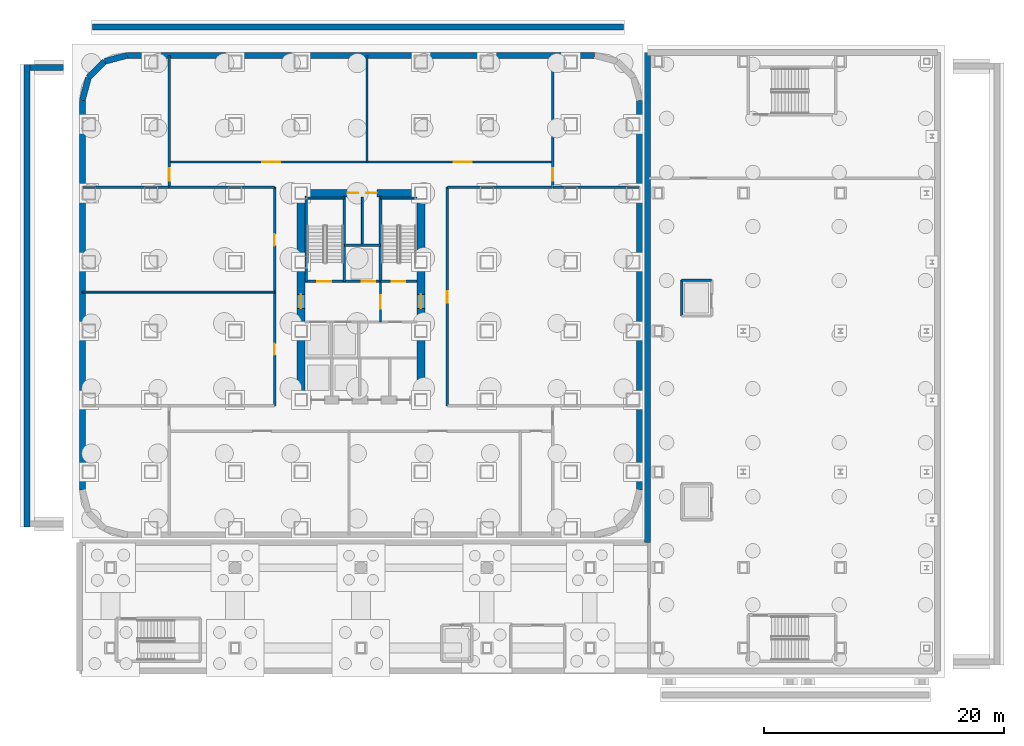
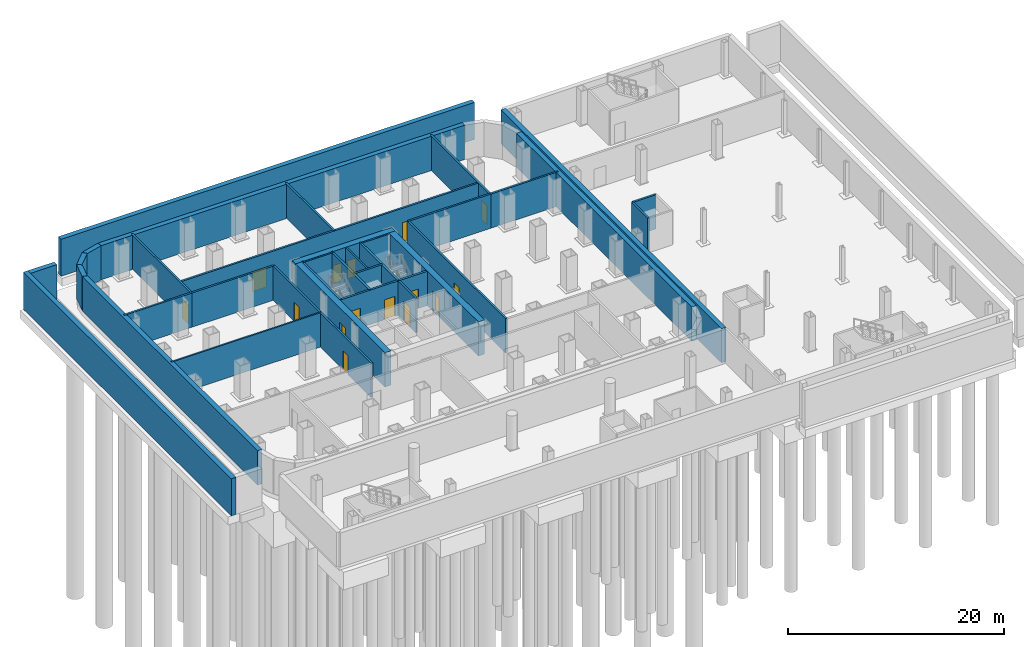
# One storey, part 8 of 16: 36 walls, 15 doors, 15 openings.
"""IFC4 building model written with IfcOpenShell, lengths in metres."""

from ifc_helpers import new_model, si_unit, direction, frame, frame_2d, origin, place, context, subcontext, project, spatial, rectangle, extrude, material, layer, layer_set, type_object, element, fill, save


model = new_model("IFC4")

# Units and contexts
model_context = context("Model", 3, precision=1e-05, world=origin(), true_north=direction((0.0, 1.0)))
body_context = subcontext(model_context, "Body", "Model", "MODEL_VIEW")
ifc_project = project(units=[si_unit("LENGTHUNIT", "METRE"), si_unit("AREAUNIT", "SQUARE_METRE"), si_unit("VOLUMEUNIT", "CUBIC_METRE"), si_unit("PLANEANGLEUNIT", "RADIAN"), si_unit("MASSUNIT", "GRAM", prefix="KILO")], contexts=[model_context])

# Site, building, storey
site_placement = place(None, origin())
site = spatial("IfcSite", under=ifc_project, at=site_placement, CompositionType="ELEMENT")
building_placement = place(site_placement, origin())
building = spatial("IfcBuilding", under=site, at=building_placement, Name="Kolveth Station Tower", CompositionType="ELEMENT")
storey_placement = place(building_placement, frame((0.0, 0.0, -8.39990234375)))
storey = spatial("IfcBuildingStorey", under=building, at=storey_placement, Name="B2", CompositionType="ELEMENT", Elevation=-8.39990234375)

# Wall, openings, doors
ifc_material_1 = material(Name="Concrete C60/75", Category="concrete")
ifc_layer_1 = layer(ifc_material_1, 0.64990234375)
ifc_layer_set_1 = layer_set([ifc_layer_1], Name="Concrete C60/75")
wall_type_1 = type_object("IfcWallType", Name="Wall_CW-650", PredefinedType="SHEAR", material=ifc_layer_set_1)
wall_1_placement = place(storey_placement, frame((18.175048828125, 28.75, 0.0), z_axis=(0.0, 0.0, 1.0), x_axis=(1.0, 0.0, 0.0)))
wall_1 = element("IfcWall", 1, at=wall_1_placement, inside=storey, type_object=wall_type_1, Name="B2 Core RC Shear Wall N", PredefinedType="SHEAR", context=body_context, shape_type="SweptSolid", body=[
    extrude(rectangle(XDim=10.64990234375, YDim=0.64990234375, at=frame_2d((5.324951171875, 0.0))), origin(), (0.0, 0.0, 1.0), 3.8798828125),
])
opening_1_placement = place(wall_1_placement, frame((4.205078125, 0.0, 0.0)))
opening_1 = element("IfcOpeningElement", 2, at=opening_1_placement, cuts=wall_1, Name="Opening RD1", PredefinedType="OPENING", context=body_context, shape_type="SweptSolid", body=[
    extrude(rectangle(XDim=0.89990234375, YDim=2.050048828125, at=frame_2d((0.449951171875, 1.02490234375))), frame((0.0, 0.3349609375, 0.0), z_axis=(0.0, -1.0, 0.0), x_axis=(1.0, 0.0, 0.0)), (0.0, 0.0, 1.0), 0.669921875),
])
opening_2_placement = place(wall_1_placement, frame((5.7451171875, 0.0, 0.0)))
opening_2 = element("IfcOpeningElement", 3, at=opening_2_placement, cuts=wall_1, Name="Opening RD1", PredefinedType="OPENING", context=body_context, shape_type="SweptSolid", body=[
    extrude(rectangle(XDim=0.89990234375, YDim=2.050048828125, at=frame_2d((0.449951171875, 1.02490234375))), frame((0.0, 0.3349609375, 0.0), z_axis=(0.0, -1.0, 0.0), x_axis=(1.0, 0.0, 0.0)), (0.0, 0.0, 1.0), 0.669921875),
])
ifc_material_2 = material(Name="Fire-rated Steel S355 riser access leaf", Category="steel")
door_type_1 = type_object("IfcDoorType", Name="Door_RD1", OperationType="NOTDEFINED", PredefinedType="DOOR", material=ifc_material_2)
door_1_placement = place(opening_1_placement, origin())
door_1 = element("IfcDoor", 4, at=door_1_placement, inside=storey, type_object=door_type_1, Name="B2 Electrical Riser Access Door", OperationType="SINGLE_SWING_RIGHT", OverallHeight=2.050048828125, OverallWidth=0.89990234375, PredefinedType="DOOR", context=body_context, shape_type="SweptSolid", body=[
    extrude(rectangle(XDim=0.89990234375, YDim=2.050048828125, at=frame_2d((0.449951171875, 1.02490234375))), frame((0.0, 0.02490234375, 0.0), z_axis=(0.0, -1.0, 0.0), x_axis=(1.0, 0.0, 0.0)), (0.0, 0.0, 1.0), 0.050048828125),
])
fill(opening_1, door_1)
door_2_placement = place(opening_2_placement, origin())
door_2 = element("IfcDoor", 5, at=door_2_placement, inside=storey, type_object=door_type_1, Name="B2 Smoke Duct Access Door", OperationType="SINGLE_SWING_LEFT", OverallHeight=2.050048828125, OverallWidth=0.89990234375, PredefinedType="DOOR", context=body_context, shape_type="SweptSolid", body=[
    extrude(rectangle(XDim=0.89990234375, YDim=2.050048828125, at=frame_2d((0.449951171875, 1.02490234375))), frame((0.0, 0.02490234375, 0.0), z_axis=(0.0, -1.0, 0.0), x_axis=(1.0, 0.0, 0.0)), (0.0, 0.0, 1.0), 0.050048828125),
])
fill(opening_2, door_2)

# Wall, opening, door
wall_2_placement = place(storey_placement, frame((18.5, 11.824951171875, 0.0), z_axis=(0.0, 0.0, 1.0), x_axis=(0.0, 1.0, 0.0)))
wall_2 = element("IfcWall", 6, at=wall_2_placement, inside=storey, type_object=wall_type_1, Name="B2 Core RC Shear Wall W", PredefinedType="SHEAR", context=body_context, shape_type="SweptSolid", body=[
    extrude(rectangle(XDim=16.60009765625, YDim=0.64990234375, at=frame_2d((8.300048828125, 0.0))), origin(), (0.0, 0.0, 1.0), 3.8798828125),
])
opening_3_placement = place(wall_2_placement, frame((7.324951171875, 0.0, 0.0)))
opening_3 = element("IfcOpeningElement", 7, at=opening_3_placement, cuts=wall_2, Name="Opening FD1", PredefinedType="OPENING", context=body_context, shape_type="SweptSolid", body=[
    extrude(rectangle(XDim=1.14990234375, YDim=2.199951171875, at=frame_2d((0.574951171875, 1.10009765625))), frame((0.0, 0.3349609375, 0.0), z_axis=(0.0, -1.0, 0.0), x_axis=(1.0, 0.0, 0.0)), (0.0, 0.0, 1.0), 0.669921875),
])
ifc_material_3 = material(Name="Fire-rated Steel S355 leaf and frame", Category="steel")
door_type_2 = type_object("IfcDoorType", Name="Door_FD1", OperationType="NOTDEFINED", PredefinedType="DOOR", material=ifc_material_3)
door_3_placement = place(opening_3_placement, frame((1.14990234375, 0.0, 0.0), z_axis=(0.0, 0.0, 1.0), x_axis=(-1.0, 0.0, 0.0)))
door_3 = element("IfcDoor", 8, at=door_3_placement, inside=storey, type_object=door_type_2, Name="B2 West Corridor to Firefighting Lobby Door", OperationType="SINGLE_SWING_LEFT", OverallHeight=2.199951171875, OverallWidth=1.14990234375, PredefinedType="DOOR", context=body_context, shape_type="SweptSolid", body=[
    extrude(rectangle(XDim=1.14990234375, YDim=2.199951171875, at=frame_2d((0.574951171875, 1.10009765625))), frame((0.0, 0.02490234375, 0.0), z_axis=(0.0, -1.0, 0.0), x_axis=(1.0, 0.0, 0.0)), (0.0, 0.0, 1.0), 0.050048828125),
])
fill(opening_3, door_3)

wall_3_placement = place(storey_placement, frame((28.5, 11.824951171875, 0.0), z_axis=(0.0, 0.0, 1.0), x_axis=(0.0, 1.0, 0.0)))
wall_3 = element("IfcWall", 9, at=wall_3_placement, inside=storey, type_object=wall_type_1, Name="B2 Core RC Shear Wall E", PredefinedType="SHEAR", context=body_context, shape_type="SweptSolid", body=[
    extrude(rectangle(XDim=16.60009765625, YDim=0.64990234375, at=frame_2d((8.300048828125, 0.0))), origin(), (0.0, 0.0, 1.0), 3.8798828125),
])
opening_4_placement = place(wall_3_placement, frame((7.324951171875, 0.0, 0.0)))
opening_4 = element("IfcOpeningElement", 10, at=opening_4_placement, cuts=wall_3, Name="Opening FD1", PredefinedType="OPENING", context=body_context, shape_type="SweptSolid", body=[
    extrude(rectangle(XDim=1.14990234375, YDim=2.199951171875, at=frame_2d((0.574951171875, 1.10009765625))), frame((0.0, 0.3349609375, 0.0), z_axis=(0.0, -1.0, 0.0), x_axis=(1.0, 0.0, 0.0)), (0.0, 0.0, 1.0), 0.669921875),
])
door_4_placement = place(opening_4_placement, origin())
door_4 = element("IfcDoor", 11, at=door_4_placement, inside=storey, type_object=door_type_2, Name="B2 East Corridor to Stair Lobby Door", OperationType="SINGLE_SWING_LEFT", OverallHeight=2.199951171875, OverallWidth=1.14990234375, PredefinedType="DOOR", context=body_context, shape_type="SweptSolid", body=[
    extrude(rectangle(XDim=1.14990234375, YDim=2.199951171875, at=frame_2d((0.574951171875, 1.10009765625))), frame((0.0, 0.02490234375, 0.0), z_axis=(0.0, -1.0, 0.0), x_axis=(1.0, 0.0, 0.0)), (0.0, 0.0, 1.0), 0.050048828125),
])
fill(opening_4, door_4)

# Walls
ifc_material_4 = material(Name="Acoustic double-stud gypsum partition")
ifc_layer_2 = layer(ifc_material_4, 0.1650390625)
ifc_layer_set_2 = layer_set([ifc_layer_2], Name="Acoustic double-stud gypsum partition")
wall_type_2 = type_object("IfcWallType", Name="Wall_IW-165", PredefinedType="PARTITIONING", material=ifc_layer_set_2)
wall_4_placement = place(storey_placement, frame((18.8349609375, 28.3349609375, 0.0), z_axis=(0.0, 0.0, 1.0), x_axis=(1.0, 0.0, 0.0)))
element("IfcWall", 12, at=wall_4_placement, inside=storey, type_object=wall_type_2, Name="B2 Stair Shaft Wall WL-B2-ST1-N", PredefinedType="PARTITIONING", context=body_context, shape_type="SweptSolid", body=[
    extrude(rectangle(XDim=3.275146484375, YDim=0.1650390625, at=frame_2d((1.6376953125, 0.0))), origin(), (0.0, 0.0, 1.0), 3.8798828125),
])
wall_5_placement = place(storey_placement, frame((25.1298828125, 28.3349609375, 0.0), z_axis=(0.0, 0.0, 1.0), x_axis=(1.0, 0.0, 0.0)))
element("IfcWall", 13, at=wall_5_placement, inside=storey, type_object=wall_type_2, Name="B2 Stair Shaft Wall WL-B2-ST2-N", PredefinedType="PARTITIONING", context=body_context, shape_type="SweptSolid", body=[
    extrude(rectangle(XDim=3.03515625, YDim=0.1650390625, at=frame_2d((1.517578125, 0.0))), origin(), (0.0, 0.0, 1.0), 3.8798828125),
])
wall_6_placement = place(storey_placement, frame((23.6201171875, 24.39990234375, 0.0), z_axis=(0.0, 0.0, 1.0), x_axis=(0.0, 1.0, 0.0)))
element("IfcWall", 14, at=wall_6_placement, inside=storey, type_object=wall_type_2, Name="B2 Partition Wall WL-B2-RSR-M", PredefinedType="PARTITIONING", context=body_context, shape_type="SweptSolid", body=[
    extrude(rectangle(XDim=4.01513671875, YDim=0.1650390625, at=frame_2d((2.007568359375, 0.0))), origin(), (0.0, 0.0, 1.0), 3.8798828125),
])
wall_7_placement = place(storey_placement, frame((0.25, 20.5, 0.0), z_axis=(0.0, 0.0, 1.0), x_axis=(1.0, 0.0, 0.0)))
element("IfcWall", 15, at=wall_7_placement, inside=storey, type_object=wall_type_2, Name="B2 Partition Wall WL-B2-TPW-P1", PredefinedType="PARTITIONING", context=body_context, shape_type="SweptSolid", body=[
    extrude(rectangle(XDim=16.050048828125, YDim=0.1650390625, at=frame_2d((8.02490234375, 0.0))), origin(), (0.0, 0.0, 1.0), 3.8798828125),
])
ifc_material_5 = material(Name="Acoustic fire-rated gypsum blockwork", Category="masonry")
ifc_layer_3 = layer(ifc_material_5, 0.199951171875)
ifc_layer_set_3 = layer_set([ifc_layer_3], Name="Acoustic fire-rated gypsum blockwork")
wall_type_3 = type_object("IfcWallType", Name="Wall_IW-200", PredefinedType="PARTITIONING", material=ifc_layer_set_3)
wall_8_placement = place(storey_placement, frame((22.110107421875, 24.39990234375, 0.0), z_axis=(0.0, 0.0, 1.0), x_axis=(1.0, 0.0, 0.0)))
element("IfcWall", 16, at=wall_8_placement, inside=storey, type_object=wall_type_3, Name="B2 Partition Wall WL-B2-RSR-S", PredefinedType="PARTITIONING", context=body_context, shape_type="SweptSolid", body=[
    extrude(rectangle(XDim=3.019775390625, YDim=0.199951171875, at=frame_2d((1.509765625, 0.0))), origin(), (0.0, 0.0, 1.0), 3.8798828125),
])

# Wall, opening, door
wall_9_placement = place(storey_placement, frame((25.1298828125, 18.0, 0.0), z_axis=(0.0, 0.0, 1.0), x_axis=(0.0, 1.0, 0.0)))
wall_9 = element("IfcWall", 17, at=wall_9_placement, inside=storey, type_object=wall_type_3, Name="B2 Partition Wall WL-B2-FFL-E", PredefinedType="PARTITIONING", context=body_context, shape_type="SweptSolid", body=[
    extrude(rectangle(XDim=3.389892578125, YDim=0.199951171875, at=frame_2d((1.69482421875, 0.0))), origin(), (0.0, 0.0, 1.0), 3.8798828125),
])
opening_5_placement = place(wall_9_placement, frame((1.10009765625, 0.0, 0.0)))
opening_5 = element("IfcOpeningElement", 18, at=opening_5_placement, cuts=wall_9, Name="Opening FD1", PredefinedType="OPENING", context=body_context, shape_type="SweptSolid", body=[
    extrude(rectangle(XDim=1.14990234375, YDim=2.199951171875, at=frame_2d((0.574951171875, 1.10009765625))), frame((0.0, 0.10986328125, 0.0), z_axis=(0.0, -1.0, 0.0), x_axis=(1.0, 0.0, 0.0)), (0.0, 0.0, 1.0), 0.219970703125),
])
door_5_placement = place(opening_5_placement, origin())
door_5 = element("IfcDoor", 19, at=door_5_placement, inside=storey, type_object=door_type_2, Name="B2 Firefighting to Stair Lobby Door", OperationType="SINGLE_SWING_RIGHT", OverallHeight=2.199951171875, OverallWidth=1.14990234375, PredefinedType="DOOR", context=body_context, shape_type="SweptSolid", body=[
    extrude(rectangle(XDim=1.14990234375, YDim=2.199951171875, at=frame_2d((0.574951171875, 1.10009765625))), frame((0.0, 0.02490234375, 0.0), z_axis=(0.0, -1.0, 0.0), x_axis=(1.0, 0.0, 0.0)), (0.0, 0.0, 1.0), 0.050048828125),
])
fill(opening_5, door_5)

# Wall, openings, doors
wall_10_placement = place(storey_placement, frame((7.5, 31.35009765625, 0.0), z_axis=(0.0, 0.0, 1.0), x_axis=(1.0, 0.0, 0.0)))
wall_10 = element("IfcWall", 20, at=wall_10_placement, inside=storey, type_object=wall_type_3, Name="B2 Partition Wall WL-B2-BN", PredefinedType="PARTITIONING", context=body_context, shape_type="SweptSolid", body=[
    extrude(rectangle(XDim=32.0, YDim=0.199951171875, at=frame_2d((16.0, 0.0))), origin(), (0.0, 0.0, 1.0), 3.8798828125),
])
opening_6_placement = place(wall_10_placement, frame((7.75, 0.0, 0.0)))
opening_6 = element("IfcOpeningElement", 21, at=opening_6_placement, cuts=wall_10, Name="Opening FD4", PredefinedType="OPENING", context=body_context, shape_type="SweptSolid", body=[
    extrude(rectangle(XDim=1.5, YDim=2.25, at=frame_2d((0.75, 1.125))), frame((0.0, 0.10986328125, 0.0), z_axis=(0.0, -1.0, 0.0), x_axis=(1.0, 0.0, 0.0)), (0.0, 0.0, 1.0), 0.219970703125),
])
opening_7_placement = place(wall_10_placement, frame((23.75, 0.0, 0.0)))
opening_7 = element("IfcOpeningElement", 22, at=opening_7_placement, cuts=wall_10, Name="Opening FD4", PredefinedType="OPENING", context=body_context, shape_type="SweptSolid", body=[
    extrude(rectangle(XDim=1.5, YDim=2.25, at=frame_2d((0.75, 1.125))), frame((0.0, 0.10986328125, 0.0), z_axis=(0.0, -1.0, 0.0), x_axis=(1.0, 0.0, 0.0)), (0.0, 0.0, 1.0), 0.219970703125),
])
ifc_material_6 = material(Name="Fire-rated double Steel S355 leaf", Category="steel")
door_type_3 = type_object("IfcDoorType", Name="Door_FD4", OperationType="NOTDEFINED", PredefinedType="DOOR", material=ifc_material_6)
door_6_placement = place(opening_6_placement, origin())
door_6 = element("IfcDoor", 23, at=door_6_placement, inside=storey, type_object=door_type_3, Name="B2 Standby Generator Plant Room Door", OperationType="SINGLE_SWING_LEFT", OverallHeight=2.25, OverallWidth=1.5, PredefinedType="DOOR", context=body_context, shape_type="SweptSolid", body=[
    extrude(rectangle(XDim=1.5, YDim=2.25, at=frame_2d((0.75, 1.125))), frame((0.0, 0.02490234375, 0.0), z_axis=(0.0, -1.0, 0.0), x_axis=(1.0, 0.0, 0.0)), (0.0, 0.0, 1.0), 0.050048828125),
])
fill(opening_6, door_6)
door_7_placement = place(opening_7_placement, origin())
door_7 = element("IfcDoor", 24, at=door_7_placement, inside=storey, type_object=door_type_3, Name="B2 Medium Voltage Switchgear Room Door", OperationType="SINGLE_SWING_LEFT", OverallHeight=2.25, OverallWidth=1.5, PredefinedType="DOOR", context=body_context, shape_type="SweptSolid", body=[
    extrude(rectangle(XDim=1.5, YDim=2.25, at=frame_2d((0.75, 1.125))), frame((0.0, 0.02490234375, 0.0), z_axis=(0.0, -1.0, 0.0), x_axis=(1.0, 0.0, 0.0)), (0.0, 0.0, 1.0), 0.050048828125),
])
fill(opening_7, door_7)

# Walls
for number, where, z_axis, x_axis, name in (
    (25, (7.5, 29.25, 0.0), (0.0, 0.0, 1.0), (1.0, 0.0, 0.0), "B2 Partition Wall WL-B2-BNWB"),
    (26, (30.699951171875, 29.25, 0.0), (0.0, 0.0, 1.0), (1.0, 0.0, 0.0), "B2 Partition Wall WL-B2-BNEB"),
):
    element("IfcWall", number, at=place(storey_placement, frame(where, z_axis=z_axis, x_axis=x_axis)), inside=storey, type_object=wall_type_3, Name=name, PredefinedType="PARTITIONING", context=body_context, shape_type="SweptSolid", body=[
        extrude(rectangle(XDim=8.800048828125, YDim=0.199951171875, at=frame_2d((4.39990234375, 0.0))), origin(), (0.0, 0.0, 1.0), 3.8798828125),
    ])

# Wall, openings, doors
wall_11_placement = place(storey_placement, frame((16.300048828125, 11.0, 0.0), z_axis=(0.0, 0.0, 1.0), x_axis=(0.0, 1.0, 0.0)))
wall_11 = element("IfcWall", 27, at=wall_11_placement, inside=storey, type_object=wall_type_3, Name="B2 Partition Wall WL-B2-BW", PredefinedType="PARTITIONING", context=body_context, shape_type="SweptSolid", body=[
    extrude(rectangle(XDim=18.25, YDim=0.199951171875, at=frame_2d((9.125, 0.0))), origin(), (0.0, 0.0, 1.0), 3.8798828125),
])
opening_8_placement = place(wall_11_placement, frame((4.25, 0.0, 0.0)))
opening_8 = element("IfcOpeningElement", 28, at=opening_8_placement, cuts=wall_11, Name="Opening ID1", PredefinedType="OPENING", context=body_context, shape_type="SweptSolid", body=[
    extrude(rectangle(XDim=0.949951171875, YDim=2.14990234375, at=frame_2d((0.47509765625, 1.074951171875))), frame((0.0, 0.10986328125, 0.0), z_axis=(0.0, -1.0, 0.0), x_axis=(1.0, 0.0, 0.0)), (0.0, 0.0, 1.0), 0.219970703125),
])
opening_9_placement = place(wall_11_placement, frame((13.375, 0.0, 0.0)))
opening_9 = element("IfcOpeningElement", 29, at=opening_9_placement, cuts=wall_11, Name="Opening ID1", PredefinedType="OPENING", context=body_context, shape_type="SweptSolid", body=[
    extrude(rectangle(XDim=0.949951171875, YDim=2.14990234375, at=frame_2d((0.47509765625, 1.074951171875))), frame((0.0, 0.10986328125, 0.0), z_axis=(0.0, -1.0, 0.0), x_axis=(1.0, 0.0, 0.0)), (0.0, 0.0, 1.0), 0.219970703125),
])
ifc_material_7 = material(Name="Acoustic hardwood leaf and aluminium frame", Category="wood")
door_type_4 = type_object("IfcDoorType", Name="Door_ID1", OperationType="NOTDEFINED", PredefinedType="DOOR", material=ifc_material_7)
door_8_placement = place(opening_8_placement, frame((0.949951171875, 0.0, 0.0), z_axis=(0.0, 0.0, 1.0), x_axis=(-1.0, 0.0, 0.0)))
door_8 = element("IfcDoor", 30, at=door_8_placement, inside=storey, type_object=door_type_4, Name="B2 Auxiliary MEP Plant Room West 1 Door", OperationType="SINGLE_SWING_LEFT", OverallHeight=2.14990234375, OverallWidth=0.949951171875, PredefinedType="DOOR", context=body_context, shape_type="SweptSolid", body=[
    extrude(rectangle(XDim=0.949951171875, YDim=2.14990234375, at=frame_2d((0.47509765625, 1.074951171875))), frame((0.0, 0.02490234375, 0.0), z_axis=(0.0, -1.0, 0.0), x_axis=(1.0, 0.0, 0.0)), (0.0, 0.0, 1.0), 0.050048828125),
])
fill(opening_8, door_8)
door_9_placement = place(opening_9_placement, frame((0.949951171875, 0.0, 0.0), z_axis=(0.0, 0.0, 1.0), x_axis=(-1.0, 0.0, 0.0)))
door_9 = element("IfcDoor", 31, at=door_9_placement, inside=storey, type_object=door_type_4, Name="B2 Air Handling Plant Room Door", OperationType="SINGLE_SWING_RIGHT", OverallHeight=2.14990234375, OverallWidth=0.949951171875, PredefinedType="DOOR", context=body_context, shape_type="SweptSolid", body=[
    extrude(rectangle(XDim=0.949951171875, YDim=2.14990234375, at=frame_2d((0.47509765625, 1.074951171875))), frame((0.0, 0.02490234375, 0.0), z_axis=(0.0, -1.0, 0.0), x_axis=(1.0, 0.0, 0.0)), (0.0, 0.0, 1.0), 0.050048828125),
])
fill(opening_9, door_9)

# Wall, opening, door
wall_12_placement = place(storey_placement, frame((30.699951171875, 11.0, 0.0), z_axis=(0.0, 0.0, 1.0), x_axis=(0.0, 1.0, 0.0)))
wall_12 = element("IfcWall", 32, at=wall_12_placement, inside=storey, type_object=wall_type_3, Name="B2 Partition Wall WL-B2-BE", PredefinedType="PARTITIONING", context=body_context, shape_type="SweptSolid", body=[
    extrude(rectangle(XDim=18.25, YDim=0.199951171875, at=frame_2d((9.125, 0.0))), origin(), (0.0, 0.0, 1.0), 3.8798828125),
])
opening_10_placement = place(wall_12_placement, frame((8.625, 0.0, 0.0)))
opening_10 = element("IfcOpeningElement", 33, at=opening_10_placement, cuts=wall_12, Name="Opening ID1", PredefinedType="OPENING", context=body_context, shape_type="SweptSolid", body=[
    extrude(rectangle(XDim=0.949951171875, YDim=2.14990234375, at=frame_2d((0.47509765625, 1.074951171875))), frame((0.0, 0.10986328125, 0.0), z_axis=(0.0, -1.0, 0.0), x_axis=(1.0, 0.0, 0.0)), (0.0, 0.0, 1.0), 0.219970703125),
])
door_10_placement = place(opening_10_placement, origin())
door_10 = element("IfcDoor", 34, at=door_10_placement, inside=storey, type_object=door_type_4, Name="B2 Auxiliary MEP Plant Room East Door", OperationType="SINGLE_SWING_LEFT", OverallHeight=2.14990234375, OverallWidth=0.949951171875, PredefinedType="DOOR", context=body_context, shape_type="SweptSolid", body=[
    extrude(rectangle(XDim=0.949951171875, YDim=2.14990234375, at=frame_2d((0.47509765625, 1.074951171875))), frame((0.0, 0.02490234375, 0.0), z_axis=(0.0, -1.0, 0.0), x_axis=(1.0, 0.0, 0.0)), (0.0, 0.0, 1.0), 0.050048828125),
])
fill(opening_10, door_10)

wall_13_placement = place(storey_placement, frame((7.5, 29.25, 0.0), z_axis=(0.0, 0.0, 1.0), x_axis=(0.0, 1.0, 0.0)))
wall_13 = element("IfcWall", 35, at=wall_13_placement, inside=storey, type_object=wall_type_3, Name="B2 Partition Wall WL-B2-BWN", PredefinedType="PARTITIONING", context=body_context, shape_type="SweptSolid", body=[
    extrude(rectangle(XDim=11.0, YDim=0.199951171875, at=frame_2d((5.5, 0.0))), origin(), (0.0, 0.0, 1.0), 3.8798828125),
])
opening_11_placement = place(wall_13_placement, frame((0.550048828125, 0.0, 0.0)))
opening_11 = element("IfcOpeningElement", 36, at=opening_11_placement, cuts=wall_13, Name="Opening FD2", PredefinedType="OPENING", context=body_context, shape_type="SweptSolid", body=[
    extrude(rectangle(XDim=1.050048828125, YDim=2.14990234375, at=frame_2d((0.52490234375, 1.074951171875))), frame((0.0, 0.10986328125, 0.0), z_axis=(0.0, -1.0, 0.0), x_axis=(1.0, 0.0, 0.0)), (0.0, 0.0, 1.0), 0.219970703125),
])
door_type_5 = type_object("IfcDoorType", Name="Door_FD2", OperationType="NOTDEFINED", PredefinedType="DOOR", material=ifc_material_3)
door_11_placement = place(opening_11_placement, frame((1.050048828125, 0.0, 0.0), z_axis=(0.0, 0.0, 1.0), x_axis=(-1.0, 0.0, 0.0)))
door_11 = element("IfcDoor", 37, at=door_11_placement, inside=storey, type_object=door_type_5, Name="B2 Auxiliary MEP Plant Room CNW Door", OperationType="SINGLE_SWING_RIGHT", OverallHeight=2.14990234375, OverallWidth=1.050048828125, PredefinedType="DOOR", context=body_context, shape_type="SweptSolid", body=[
    extrude(rectangle(XDim=1.050048828125, YDim=2.14990234375, at=frame_2d((0.52490234375, 1.074951171875))), frame((0.0, 0.02490234375, 0.0), z_axis=(0.0, -1.0, 0.0), x_axis=(1.0, 0.0, 0.0)), (0.0, 0.0, 1.0), 0.050048828125),
])
fill(opening_11, door_11)

wall_14_placement = place(storey_placement, frame((39.5, 29.25, 0.0), z_axis=(0.0, 0.0, 1.0), x_axis=(0.0, 1.0, 0.0)))
wall_14 = element("IfcWall", 38, at=wall_14_placement, inside=storey, type_object=wall_type_3, Name="B2 Partition Wall WL-B2-BEN", PredefinedType="PARTITIONING", context=body_context, shape_type="SweptSolid", body=[
    extrude(rectangle(XDim=11.0, YDim=0.199951171875, at=frame_2d((5.5, 0.0))), origin(), (0.0, 0.0, 1.0), 3.8798828125),
])
opening_12_placement = place(wall_14_placement, frame((0.550048828125, 0.0, 0.0)))
opening_12 = element("IfcOpeningElement", 39, at=opening_12_placement, cuts=wall_14, Name="Opening FD2", PredefinedType="OPENING", context=body_context, shape_type="SweptSolid", body=[
    extrude(rectangle(XDim=1.050048828125, YDim=2.14990234375, at=frame_2d((0.52490234375, 1.074951171875))), frame((0.0, 0.10986328125, 0.0), z_axis=(0.0, -1.0, 0.0), x_axis=(1.0, 0.0, 0.0)), (0.0, 0.0, 1.0), 0.219970703125),
])
door_12_placement = place(opening_12_placement, origin())
door_12 = element("IfcDoor", 40, at=door_12_placement, inside=storey, type_object=door_type_5, Name="B2 Auxiliary MEP Plant Room CNE Door", OperationType="SINGLE_SWING_RIGHT", OverallHeight=2.14990234375, OverallWidth=1.050048828125, PredefinedType="DOOR", context=body_context, shape_type="SweptSolid", body=[
    extrude(rectangle(XDim=1.050048828125, YDim=2.14990234375, at=frame_2d((0.52490234375, 1.074951171875))), frame((0.0, 0.02490234375, 0.0), z_axis=(0.0, -1.0, 0.0), x_axis=(1.0, 0.0, 0.0)), (0.0, 0.0, 1.0), 0.050048828125),
])
fill(opening_12, door_12)

# Walls
for number, where, z_axis, x_axis, name in (
    (41, (0.25, 29.25, 0.0), (0.0, 0.0, 1.0), (1.0, 0.0, 0.0), "B2 Partition Wall WL-B2-BWM2"),
    (42, (39.5, 29.25, 0.0), (0.0, 0.0, 1.0), (1.0, 0.0, 0.0), "B2 Partition Wall WL-B2-BEM2"),
):
    element("IfcWall", number, at=place(storey_placement, frame(where, z_axis=z_axis, x_axis=x_axis)), inside=storey, type_object=wall_type_3, Name=name, PredefinedType="PARTITIONING", context=body_context, shape_type="SweptSolid", body=[
        extrude(rectangle(XDim=7.25, YDim=0.199951171875, at=frame_2d((3.625, 0.0))), origin(), (0.0, 0.0, 1.0), 3.8798828125),
    ])
wall_15_placement = place(storey_placement, frame((24.0, 31.35009765625, 0.0), z_axis=(0.0, 0.0, 1.0), x_axis=(0.0, 1.0, 0.0)))
element("IfcWall", 43, at=wall_15_placement, inside=storey, type_object=wall_type_3, Name="B2 Partition Wall WL-B2-TBN-P1", PredefinedType="PARTITIONING", context=body_context, shape_type="SweptSolid", body=[
    extrude(rectangle(XDim=8.89990234375, YDim=0.199951171875, at=frame_2d((4.449951171875, 0.0))), origin(), (0.0, 0.0, 1.0), 3.8798828125),
])
wall_16_placement = place(storey_placement, frame((50.25, 21.5, 0.0), z_axis=(0.0, 0.0, 1.0), x_axis=(1.0, 0.0, 0.0)))
element("IfcWall", 44, at=wall_16_placement, inside=storey, type_object=wall_type_3, Name="B2 Partition Wall WL-B2-SL2-N", PredefinedType="PARTITIONING", context=body_context, shape_type="SweptSolid", body=[
    extrude(rectangle(XDim=2.5, YDim=0.199951171875, at=frame_2d((1.25, 0.0))), origin(), (0.0, 0.0, 1.0), 3.8798828125),
])
wall_17_placement = place(storey_placement, frame((50.25, 18.5, 0.0), z_axis=(0.0, 0.0, 1.0), x_axis=(0.0, 1.0, 0.0)))
element("IfcWall", 45, at=wall_17_placement, inside=storey, type_object=wall_type_3, Name="B2 Partition Wall WL-B2-SL2-W", PredefinedType="PARTITIONING", context=body_context, shape_type="SweptSolid", body=[
    extrude(rectangle(XDim=3.0, YDim=0.199951171875, at=frame_2d((1.5, 0.0))), origin(), (0.0, 0.0, 1.0), 3.8798828125),
])
ifc_material_8 = material(Name="Concrete C40/50", Category="concrete")
ifc_layer_4 = layer(ifc_material_8, 0.219970703125)
ifc_layer_set_4 = layer_set([ifc_layer_4], Name="Concrete C40/50")
wall_type_4 = type_object("IfcWallType", Name="Wall_IW-220", PredefinedType="SOLIDWALL", material=ifc_layer_set_4)
for number, where, z_axis, x_axis, name in (
    (46, (18.929931640625, 21.389892578125, 0.0), (0.0, 0.0, 1.0), (0.0, 1.0, 0.0), "B2 Stair Shaft Wall WL-B2-ST1-W"),
    (47, (22.110107421875, 21.389892578125, 0.0), (0.0, 0.0, 1.0), (0.0, 1.0, 0.0), "B2 Stair Shaft Wall WL-B2-ST1-E"),
    (48, (25.1298828125, 21.389892578125, 0.0), (0.0, 0.0, 1.0), (0.0, 1.0, 0.0), "B2 Stair Shaft Wall WL-B2-ST2-W"),
):
    element("IfcWall", number, at=place(storey_placement, frame(where, z_axis=z_axis, x_axis=x_axis)), inside=storey, type_object=wall_type_4, Name=name, PredefinedType="SOLIDWALL", context=body_context, shape_type="SweptSolid", body=[
        extrude(rectangle(XDim=7.110107421875, YDim=0.219970703125, at=frame_2d((3.55517578125, 0.0))), origin(), (0.0, 0.0, 1.0), 3.8798828125),
    ])

# Wall, openings, doors
wall_18_placement = place(storey_placement, frame((18.8349609375, 21.389892578125, 0.0), z_axis=(0.0, 0.0, 1.0), x_axis=(1.0, 0.0, 0.0)))
wall_18 = element("IfcWall", 49, at=wall_18_placement, inside=storey, type_object=wall_type_4, Name="B2 Stair Shaft Wall WL-B2-ST1-S", PredefinedType="SOLIDWALL", context=body_context, shape_type="SweptSolid", body=[
    extrude(rectangle(XDim=6.294921875, YDim=0.219970703125, at=frame_2d((3.1474609375, 0.0))), origin(), (0.0, 0.0, 1.0), 3.8798828125),
])
opening_13_placement = place(wall_18_placement, frame((1.014892578125, 0.0, 0.0)))
opening_13 = element("IfcOpeningElement", 50, at=opening_13_placement, cuts=wall_18, Name="Opening FD1", PredefinedType="OPENING", context=body_context, shape_type="SweptSolid", body=[
    extrude(rectangle(XDim=1.14990234375, YDim=2.199951171875, at=frame_2d((0.574951171875, 1.10009765625))), frame((0.0, 0.119873046875, 0.0), z_axis=(0.0, -1.0, 0.0), x_axis=(1.0, 0.0, 0.0)), (0.0, 0.0, 1.0), 0.239990234375),
])
opening_14_placement = place(wall_18_placement, frame((4.7451171875, 0.0, 0.0)))
opening_14 = element("IfcOpeningElement", 51, at=opening_14_placement, cuts=wall_18, Name="Opening LD1", PredefinedType="OPENING", context=body_context, shape_type="SweptSolid", body=[
    extrude(rectangle(XDim=1.10009765625, YDim=2.25, at=frame_2d((0.550048828125, 1.125))), frame((0.0, 0.119873046875, 0.0), z_axis=(0.0, -1.0, 0.0), x_axis=(1.0, 0.0, 0.0)), (0.0, 0.0, 1.0), 0.239990234375),
])
door_13_placement = place(opening_13_placement, frame((1.14990234375, 0.0, 0.0), z_axis=(0.0, 0.0, 1.0), x_axis=(-1.0, 0.0, 0.0)))
door_13 = element("IfcDoor", 52, at=door_13_placement, inside=storey, type_object=door_type_2, Name="B2 Stair ST1 Fire Door", OperationType="SINGLE_SWING_RIGHT", OverallHeight=2.199951171875, OverallWidth=1.14990234375, PredefinedType="DOOR", context=body_context, shape_type="SweptSolid", body=[
    extrude(rectangle(XDim=1.14990234375, YDim=2.199951171875, at=frame_2d((0.574951171875, 1.10009765625))), frame((0.0, 0.02490234375, 0.0), z_axis=(0.0, -1.0, 0.0), x_axis=(1.0, 0.0, 0.0)), (0.0, 0.0, 1.0), 0.050048828125),
])
fill(opening_13, door_13)
ifc_material_9 = material(Name="Brushed stainless steel sliding landing doors", Category="steel")
door_type_6 = type_object("IfcDoorType", Name="Door_LD1", OperationType="NOTDEFINED", PredefinedType="DOOR", material=ifc_material_9)
door_14_placement = place(opening_14_placement, frame((1.10009765625, 0.0, 0.0), z_axis=(0.0, 0.0, 1.0), x_axis=(-1.0, 0.0, 0.0)))
door_14 = element("IfcDoor", 53, at=door_14_placement, inside=storey, type_object=door_type_6, Name="B2 Service Lift SV1 Landing Door", OperationType="DOUBLE_DOOR_SLIDING", OverallHeight=2.25, OverallWidth=1.10009765625, PredefinedType="DOOR", context=body_context, shape_type="SweptSolid", body=[
    extrude(rectangle(XDim=1.10009765625, YDim=2.25, at=frame_2d((0.550048828125, 1.125))), frame((0.0, 0.02490234375, 0.0), z_axis=(0.0, -1.0, 0.0), x_axis=(1.0, 0.0, 0.0)), (0.0, 0.0, 1.0), 0.050048828125),
])
fill(opening_14, door_14)

# Wall, opening, door
wall_19_placement = place(storey_placement, frame((25.1298828125, 21.389892578125, 0.0), z_axis=(0.0, 0.0, 1.0), x_axis=(1.0, 0.0, 0.0)))
wall_19 = element("IfcWall", 54, at=wall_19_placement, inside=storey, type_object=wall_type_4, Name="B2 Stair Shaft Wall WL-B2-ST2-S", PredefinedType="SOLIDWALL", context=body_context, shape_type="SweptSolid", body=[
    extrude(rectangle(XDim=3.03515625, YDim=0.219970703125, at=frame_2d((1.517578125, 0.0))), origin(), (0.0, 0.0, 1.0), 3.8798828125),
])
opening_15_placement = place(wall_19_placement, frame((0.919921875, 0.0, 0.0)))
opening_15 = element("IfcOpeningElement", 55, at=opening_15_placement, cuts=wall_19, Name="Opening FD1", PredefinedType="OPENING", context=body_context, shape_type="SweptSolid", body=[
    extrude(rectangle(XDim=1.14990234375, YDim=2.199951171875, at=frame_2d((0.574951171875, 1.10009765625))), frame((0.0, 0.119873046875, 0.0), z_axis=(0.0, -1.0, 0.0), x_axis=(1.0, 0.0, 0.0)), (0.0, 0.0, 1.0), 0.239990234375),
])
door_15_placement = place(opening_15_placement, frame((1.14990234375, 0.0, 0.0), z_axis=(0.0, 0.0, 1.0), x_axis=(-1.0, 0.0, 0.0)))
door_15 = element("IfcDoor", 56, at=door_15_placement, inside=storey, type_object=door_type_2, Name="B2 Stair ST2 Fire Door", OperationType="SINGLE_SWING_LEFT", OverallHeight=2.199951171875, OverallWidth=1.14990234375, PredefinedType="DOOR", context=body_context, shape_type="SweptSolid", body=[
    extrude(rectangle(XDim=1.14990234375, YDim=2.199951171875, at=frame_2d((0.574951171875, 1.10009765625))), frame((0.0, 0.02490234375, 0.0), z_axis=(0.0, -1.0, 0.0), x_axis=(1.0, 0.0, 0.0)), (0.0, 0.0, 1.0), 0.050048828125),
])
fill(opening_15, door_15)

# Walls
ifc_material_10 = material(Name="Concrete C50/60", Category="concrete")
ifc_layer_5 = layer(ifc_material_10, 0.5)
ifc_layer_set_5 = layer_set([ifc_layer_5], Name="Concrete C50/60")
wall_type_5 = type_object("IfcWallType", Name="Wall_RW-500", PredefinedType="USERDEFINED", material=ifc_layer_set_5)
wall_20_placement = place(storey_placement, frame((46.75, 4.0, 0.0), z_axis=(0.0, 0.0, 1.0), x_axis=(0.0, 1.0, 0.0)))
element("IfcWall", 57, at=wall_20_placement, inside=storey, type_object=wall_type_5, Name="B2 Tower Basement Retaining Wall 4", ObjectType="RETAININGWALL", PredefinedType="USERDEFINED", context=body_context, shape_type="SweptSolid", body=[
    extrude(rectangle(XDim=32.5, YDim=0.5, at=frame_2d((16.25, 0.0))), origin(), (0.0, 0.0, 1.0), 3.8798828125),
])
wall_21_placement = place(storey_placement, frame((43.0, 40.25, 0.0), z_axis=(0.0, 0.0, 1.0), x_axis=(-1.0, 0.0, 0.0)))
element("IfcWall", 58, at=wall_21_placement, inside=storey, type_object=wall_type_5, Name="B2 Tower Basement Retaining Wall 8", ObjectType="RETAININGWALL", PredefinedType="USERDEFINED", context=body_context, shape_type="SweptSolid", body=[
    extrude(rectangle(XDim=39.0, YDim=0.5, at=frame_2d((19.5, 0.0))), origin(), (0.0, 0.0, 1.0), 3.8798828125),
])
for number, where, z_axis, x_axis, name in (
    (59, (4.0, 40.25, 0.0), (0.0, 0.0, 1.0), (-0.965921103361, -0.258836670666, 0.0), "B2 Tower Basement Retaining Wall 9"),
    (60, (2.125, 39.74755859375, 0.0), (0.0, 0.0, 1.0), (-0.707106781187, -0.707106781187, 0.0), "B2 Tower Basement Retaining Wall 10"),
    (61, (0.75244140625, 38.375, 0.0), (0.0, 0.0, 1.0), (-0.258836670666, -0.965921103361, 0.0), "B2 Tower Basement Retaining Wall 11"),
):
    element("IfcWall", number, at=place(storey_placement, frame(where, z_axis=z_axis, x_axis=x_axis)), inside=storey, type_object=wall_type_5, Name=name, ObjectType="RETAININGWALL", PredefinedType="USERDEFINED", context=body_context, shape_type="SweptSolid", body=[
        extrude(rectangle(XDim=1.941162109375, YDim=0.5, at=frame_2d((0.970703125, 0.0))), origin(), (0.0, 0.0, 1.0), 3.8798828125),
    ])
wall_22_placement = place(storey_placement, frame((0.25, 36.5, 0.0), z_axis=(0.0, 0.0, 1.0), x_axis=(0.0, -1.0, 0.0)))
element("IfcWall", 62, at=wall_22_placement, inside=storey, type_object=wall_type_5, Name="B2 Tower Basement Retaining Wall 12", ObjectType="RETAININGWALL", PredefinedType="USERDEFINED", context=body_context, shape_type="SweptSolid", body=[
    extrude(rectangle(XDim=32.5, YDim=0.5, at=frame_2d((16.25, 0.0))), origin(), (0.0, 0.0, 1.0), 3.8798828125),
])
wall_23_placement = place(storey_placement, frame((47.39990234375, 40.5, 0.0), z_axis=(0.0, 0.0, 1.0), x_axis=(0.0, -1.0, 0.0)))
element("IfcWall", 63, at=wall_23_placement, inside=storey, type_object=wall_type_5, Name="B2 Station Basement Retaining Wall 4", ObjectType="RETAININGWALL", PredefinedType="USERDEFINED", context=body_context, shape_type="SweptSolid", body=[
    extrude(rectangle(XDim=40.89990234375, YDim=0.5, at=frame_2d((20.449951171875, 0.0))), origin(), (0.0, 0.0, 1.0), 3.8798828125),
])
wall_24_placement = place(storey_placement, frame((-4.35009765625, 0.89990234375, 0.0), z_axis=(0.0, 0.0, 1.0), x_axis=(0.0, 1.0, 0.0)))
element("IfcWall", 64, at=wall_24_placement, inside=storey, type_object=wall_type_5, Name="B2 Forecourt Retaining Wall 1", ObjectType="RETAININGWALL", PredefinedType="USERDEFINED", context=body_context, shape_type="SweptSolid", body=[
    extrude(rectangle(XDim=38.60009765625, YDim=0.5, at=frame_2d((19.300048828125, 0.0))), origin(), (0.0, 0.0, 1.0), 4.199951171875),
])
wall_25_placement = place(storey_placement, frame((-4.10009765625, 39.25, 0.0), z_axis=(0.0, 0.0, 1.0), x_axis=(1.0, 0.0, 0.0)))
element("IfcWall", 65, at=wall_25_placement, inside=storey, type_object=wall_type_5, Name="B2 Forecourt Retaining Wall 3", ObjectType="RETAININGWALL", PredefinedType="USERDEFINED", context=body_context, shape_type="SweptSolid", body=[
    extrude(rectangle(XDim=2.800048828125, YDim=0.5, at=frame_2d((1.39990234375, 0.0))), origin(), (0.0, 0.0, 1.0), 4.199951171875),
])
wall_26_placement = place(storey_placement, frame((1.10009765625, 42.60009765625, 0.0), z_axis=(0.0, 0.0, 1.0), x_axis=(1.0, 0.0, 0.0)))
element("IfcWall", 66, at=wall_26_placement, inside=storey, type_object=wall_type_5, Name="B2 Forecourt Retaining Wall 7", ObjectType="RETAININGWALL", PredefinedType="USERDEFINED", context=body_context, shape_type="SweptSolid", body=[
    extrude(rectangle(XDim=44.2998046875, YDim=0.5, at=frame_2d((22.14990234375, 0.0))), origin(), (0.0, 0.0, 1.0), 4.199951171875),
])

save(model, "model.ifc")
